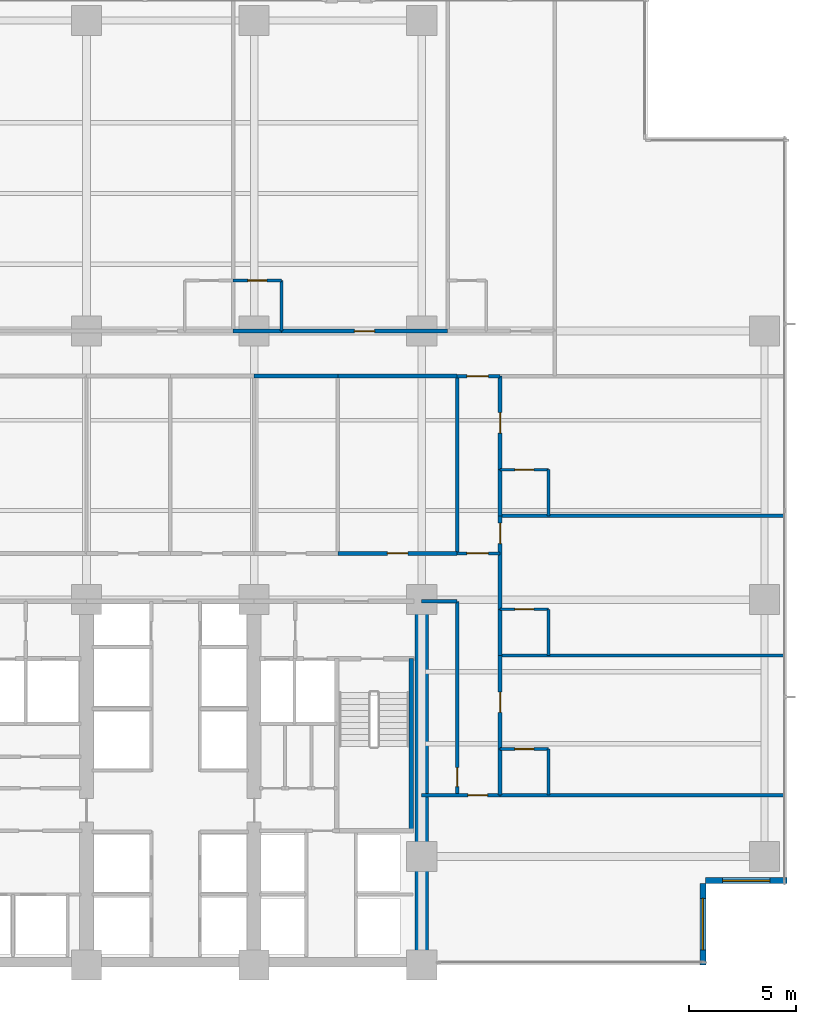
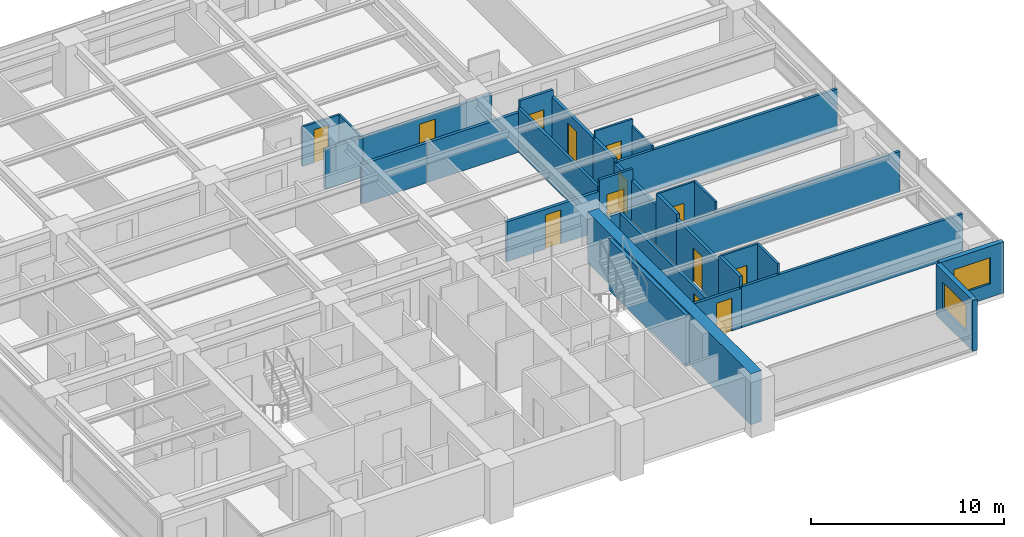
# One storey, part 10 of 16: 32 walls, 13 doors, 2 windows, 15 openings.
"""IFC4 building model written with IfcOpenShell, lengths in metres."""

from ifc_helpers import new_model, si_unit, direction, frame, frame_2d, origin, place, context, subcontext, project, spatial, rectangle, extrude, material, layer, layer_set, type_object, element, fill, save


model = new_model("IFC4")

# Units and contexts
model_context = context("Model", 3, precision=1e-05, world=origin(), true_north=direction((0.0, 1.0)))
body_context = subcontext(model_context, "Body", "Model", "MODEL_VIEW")
ifc_project = project(units=[si_unit("LENGTHUNIT", "METRE"), si_unit("AREAUNIT", "SQUARE_METRE"), si_unit("VOLUMEUNIT", "CUBIC_METRE"), si_unit("PLANEANGLEUNIT", "RADIAN"), si_unit("MASSUNIT", "GRAM", prefix="KILO")], contexts=[model_context])

# Site, building, storey
site_placement = place(None, origin())
site = spatial("IfcSite", under=ifc_project, at=site_placement, CompositionType="ELEMENT")
building_placement = place(site_placement, origin())
building = spatial("IfcBuilding", under=site, at=building_placement, Name="Qalmaran Belvedere Hotel", CompositionType="ELEMENT")
storey_placement = place(building_placement, frame((0.0, 0.0, 50.89990234375)))
storey = spatial("IfcBuildingStorey", under=building, at=storey_placement, Name="L12", CompositionType="ELEMENT", Elevation=50.89990234375)

# Wall
ifc_material_1 = material(Name="Concrete C60/75", Category="concrete")
ifc_layer_1 = layer(ifc_material_1, 0.64990234375, Name="Concrete C60/75")
ifc_layer_set_1 = layer_set([ifc_layer_1], Name="Concrete C60/75")
wall_type_1 = type_object("IfcWallType", Name="WL-CORE-650-C60", PredefinedType="SHEAR", material=ifc_layer_set_1)
wall_1_placement = place(storey_placement, frame((44.800048828125, 3.5, 0.0), z_axis=(0.0, 0.0, 1.0), x_axis=(0.0, 1.0, 0.0)))
element("IfcWall", 1, at=wall_1_placement, inside=storey, type_object=wall_type_1, Name="L12 East Core Shear Wall", PredefinedType="SHEAR", context=body_context, shape_type="SweptSolid", body=[
    extrude(rectangle(XDim=16.89990234375, YDim=0.64990234375, at=frame_2d((8.449951171875, 0.0))), origin(), (0.0, 0.0, 1.0), 3.22021484375),
])

# Wall, opening, window
ifc_material_2 = material(Name="Anodised Bronze Cladding")
ifc_layer_2 = layer(ifc_material_2, 0.280029296875, Name="Anodised Bronze Cladding")
ifc_layer_set_2 = layer_set([ifc_layer_2], Name="Anodised Bronze Cladding")
wall_type_2 = type_object("IfcWallType", Name="WL-EXT-BRNZ-280", PredefinedType="SOLIDWALL", material=ifc_layer_set_2)
wall_2_placement = place(storey_placement, frame((57.8798828125, 3.5, 0.0), z_axis=(0.0, 0.0, 1.0), x_axis=(0.0, 1.0, 0.0)))
wall_2 = element("IfcWall", 2, at=wall_2_placement, inside=storey, type_object=wall_type_2, Name="L12 Corner Notch Wall 1", PredefinedType="SOLIDWALL", context=body_context, shape_type="SweptSolid", body=[
    extrude(rectangle(XDim=3.800048828125, YDim=0.280029296875, at=frame_2d((1.89990234375, 0.0))), origin(), (0.0, 0.0, 1.0), 3.22021484375),
])
opening_1_placement = place(wall_2_placement, frame((0.699951171875, 0.0, 0.85009765625)))
opening_1 = element("IfcOpeningElement", 3, at=opening_1_placement, cuts=wall_2, Name="Opening W-N24", PredefinedType="OPENING", context=body_context, shape_type="SweptSolid", body=[
    extrude(rectangle(XDim=2.39990234375, YDim=1.64990234375, at=frame_2d((1.199951171875, 0.824951171875))), frame((0.0, 0.14990234375, 0.0), z_axis=(0.0, -1.0, 0.0), x_axis=(1.0, 0.0, 0.0)), (0.0, 0.0, 1.0), 0.300048828125),
])
ifc_material_3 = material(Name="Solar-Control Double Glazing", Category="glass")
window_type_1 = type_object("IfcWindowType", Name="WN-NTC-2400X1650", PartitioningType="SINGLE_PANEL", PredefinedType="WINDOW", material=ifc_material_3)
window_1_placement = place(opening_1_placement, origin())
window_1 = element("IfcWindow", 4, at=window_1_placement, inside=storey, type_object=window_type_1, Name="L12 Corner Notch Window 1", OverallHeight=1.64990234375, OverallWidth=2.39990234375, PartitioningType="SINGLE_PANEL", PredefinedType="WINDOW", context=body_context, shape_type="SweptSolid", body=[
    extrude(rectangle(XDim=2.39990234375, YDim=1.64990234375, at=frame_2d((1.199951171875, 0.824951171875))), frame((0.0, 0.030029296875, 0.0), z_axis=(0.0, -1.0, 0.0), x_axis=(1.0, 0.0, 0.0)), (0.0, 0.0, 1.0), 0.06005859375),
])
fill(opening_1, window_1)

wall_3_placement = place(storey_placement, frame((58.0, 7.419921875, 0.0), z_axis=(0.0, 0.0, 1.0), x_axis=(1.0, 0.0, 0.0)))
wall_3 = element("IfcWall", 5, at=wall_3_placement, inside=storey, type_object=wall_type_2, Name="L12 Corner Notch Wall 2", PredefinedType="SOLIDWALL", context=body_context, shape_type="SweptSolid", body=[
    extrude(rectangle(XDim=3.800048828125, YDim=0.280029296875, at=frame_2d((1.89990234375, 0.0))), origin(), (0.0, 0.0, 1.0), 3.22021484375),
])
opening_2_placement = place(wall_3_placement, frame((0.800048828125, 0.0, 0.85009765625)))
opening_2 = element("IfcOpeningElement", 6, at=opening_2_placement, cuts=wall_3, Name="Opening W-N22", PredefinedType="OPENING", context=body_context, shape_type="SweptSolid", body=[
    extrude(rectangle(XDim=2.199951171875, YDim=1.64990234375, at=frame_2d((1.10009765625, 0.824951171875))), frame((0.0, 0.14990234375, 0.0), z_axis=(0.0, -1.0, 0.0), x_axis=(1.0, 0.0, 0.0)), (0.0, 0.0, 1.0), 0.300048828125),
])
window_type_2 = type_object("IfcWindowType", Name="WN-NTC-2200X1650", PartitioningType="SINGLE_PANEL", PredefinedType="WINDOW", material=ifc_material_3)
window_2_placement = place(opening_2_placement, origin())
window_2 = element("IfcWindow", 7, at=window_2_placement, inside=storey, type_object=window_type_2, Name="L12 Corner Notch Window 2", OverallHeight=1.64990234375, OverallWidth=2.199951171875, PartitioningType="SINGLE_PANEL", PredefinedType="WINDOW", context=body_context, shape_type="SweptSolid", body=[
    extrude(rectangle(XDim=2.199951171875, YDim=1.64990234375, at=frame_2d((1.10009765625, 0.824951171875))), frame((0.0, 0.030029296875, 0.0), z_axis=(0.0, -1.0, 0.0), x_axis=(1.0, 0.0, 0.0)), (0.0, 0.0, 1.0), 0.06005859375),
])
fill(opening_2, window_2)

# Wall, opening, door
ifc_material_4 = material(Name="Moisture-Resistant Gypsum")
ifc_layer_3 = layer(ifc_material_4, 0.1201171875, Name="Moisture-Resistant Gypsum")
ifc_layer_set_3 = layer_set([ifc_layer_3], Name="Moisture-Resistant Gypsum")
wall_type_3 = type_object("IfcWallType", Name="WL-INT-120-BATH", PredefinedType="PARTITIONING", material=ifc_layer_set_3)
wall_4_placement = place(storey_placement, frame((36.023193359375, 35.35009765625, 0.0), z_axis=(0.0, 0.0, 1.0), x_axis=(1.0, 0.0, 0.0)))
wall_4 = element("IfcWall", 8, at=wall_4_placement, inside=storey, type_object=wall_type_3, Name="L12 Partition WL-L12-NBN02", PredefinedType="PARTITIONING", context=body_context, shape_type="SweptSolid", body=[
    extrude(rectangle(XDim=2.25, YDim=0.1201171875, at=frame_2d((1.125, 0.0))), origin(), (0.0, 0.0, 1.0), 2.510009765625),
])
opening_3_placement = place(wall_4_placement, frame((1.56494140625, 0.0, 0.0), z_axis=(0.0, 0.0, 1.0), x_axis=(-1.0, 0.0, 0.0)))
opening_3 = element("IfcOpeningElement", 9, at=opening_3_placement, cuts=wall_4, Name="Opening D-BATH", PredefinedType="OPENING", context=body_context, shape_type="SweptSolid", body=[
    extrude(rectangle(XDim=0.8798828125, YDim=2.080078125, at=frame_2d((0.43994140625, 1.0400390625))), frame((0.0, 0.070068359375, 0.0), z_axis=(0.0, -1.0, 0.0), x_axis=(1.0, 0.0, 0.0)), (0.0, 0.0, 1.0), 0.14013671875),
])
ifc_material_5 = material(Name="Engineered Oak Veneer")
door_type_1 = type_object("IfcDoorType", Name="DR-INT-BATH-880X2080", OperationType="NOTDEFINED", PredefinedType="DOOR", material=ifc_material_5)
door_1_placement = place(opening_3_placement, origin())
door_1 = element("IfcDoor", 10, at=door_1_placement, inside=storey, type_object=door_type_1, Name="L12 Ensuite Bathroom Door N03", OperationType="SINGLE_SWING_LEFT", OverallHeight=2.080078125, OverallWidth=0.8798828125, PredefinedType="DOOR", context=body_context, shape_type="SweptSolid", body=[
    extrude(rectangle(XDim=0.8798828125, YDim=2.080078125, at=frame_2d((0.43994140625, 1.0400390625))), frame((0.0, 0.02490234375, 0.0), z_axis=(0.0, -1.0, 0.0), x_axis=(1.0, 0.0, 0.0)), (0.0, 0.0, 1.0), 0.050048828125),
])
fill(opening_3, door_1)

# Wall
wall_5_placement = place(storey_placement, frame((38.273193359375, 33.0, 0.0), z_axis=(0.0, 0.0, 1.0), x_axis=(0.0, 1.0, 0.0)))
element("IfcWall", 11, at=wall_5_placement, inside=storey, type_object=wall_type_3, Name="L12 Partition WL-L12-NBS02", PredefinedType="PARTITIONING", context=body_context, shape_type="SweptSolid", body=[
    extrude(rectangle(XDim=2.35009765625, YDim=0.1201171875, at=frame_2d((1.175048828125, 0.0))), origin(), (0.0, 0.0, 1.0), 2.510009765625),
])

# Wall, opening, door
wall_6_placement = place(storey_placement, frame((48.449951171875, 13.550048828125, 0.0), z_axis=(0.0, 0.0, 1.0), x_axis=(1.0, 0.0, 0.0)))
wall_6 = element("IfcWall", 12, at=wall_6_placement, inside=storey, type_object=wall_type_3, Name="L12 Partition WL-L12-EBN00", PredefinedType="PARTITIONING", context=body_context, shape_type="SweptSolid", body=[
    extrude(rectangle(XDim=2.25, YDim=0.1201171875, at=frame_2d((1.125, 0.0))), origin(), (0.0, 0.0, 1.0), 3.22021484375),
])
opening_4_placement = place(wall_6_placement, frame((1.56494140625, 0.0, 0.0), z_axis=(0.0, 0.0, 1.0), x_axis=(-1.0, 0.0, 0.0)))
opening_4 = element("IfcOpeningElement", 13, at=opening_4_placement, cuts=wall_6, Name="Opening D-BATH", PredefinedType="OPENING", context=body_context, shape_type="SweptSolid", body=[
    extrude(rectangle(XDim=0.8798828125, YDim=2.080078125, at=frame_2d((0.43994140625, 1.0400390625))), frame((0.0, 0.070068359375, 0.0), z_axis=(0.0, -1.0, 0.0), x_axis=(1.0, 0.0, 0.0)), (0.0, 0.0, 1.0), 0.14013671875),
])
door_2_placement = place(opening_4_placement, origin())
door_2 = element("IfcDoor", 14, at=door_2_placement, inside=storey, type_object=door_type_1, Name="L12 E Ensuite Door 01", OperationType="SINGLE_SWING_LEFT", OverallHeight=2.080078125, OverallWidth=0.8798828125, PredefinedType="DOOR", context=body_context, shape_type="SweptSolid", body=[
    extrude(rectangle(XDim=0.8798828125, YDim=2.080078125, at=frame_2d((0.43994140625, 1.0400390625))), frame((0.0, 0.02490234375, 0.0), z_axis=(0.0, -1.0, 0.0), x_axis=(1.0, 0.0, 0.0)), (0.0, 0.0, 1.0), 0.050048828125),
])
fill(opening_4, door_2)

# Wall
wall_7_placement = place(storey_placement, frame((50.699951171875, 11.39990234375, 0.0), z_axis=(0.0, 0.0, 1.0), x_axis=(0.0, 1.0, 0.0)))
element("IfcWall", 15, at=wall_7_placement, inside=storey, type_object=wall_type_3, Name="L12 Partition WL-L12-EBS00", PredefinedType="PARTITIONING", context=body_context, shape_type="SweptSolid", body=[
    extrude(rectangle(XDim=2.150146484375, YDim=0.1201171875, at=frame_2d((1.0751953125, 0.0))), origin(), (0.0, 0.0, 1.0), 3.22021484375),
])

# Wall, opening, door
wall_8_placement = place(storey_placement, frame((48.449951171875, 20.050048828125, 0.0), z_axis=(0.0, 0.0, 1.0), x_axis=(1.0, 0.0, 0.0)))
wall_8 = element("IfcWall", 16, at=wall_8_placement, inside=storey, type_object=wall_type_3, Name="L12 Partition WL-L12-EBN01", PredefinedType="PARTITIONING", context=body_context, shape_type="SweptSolid", body=[
    extrude(rectangle(XDim=2.25, YDim=0.1201171875, at=frame_2d((1.125, 0.0))), origin(), (0.0, 0.0, 1.0), 3.22021484375),
])
opening_5_placement = place(wall_8_placement, frame((1.56494140625, 0.0, 0.0), z_axis=(0.0, 0.0, 1.0), x_axis=(-1.0, 0.0, 0.0)))
opening_5 = element("IfcOpeningElement", 17, at=opening_5_placement, cuts=wall_8, Name="Opening D-BATH", PredefinedType="OPENING", context=body_context, shape_type="SweptSolid", body=[
    extrude(rectangle(XDim=0.8798828125, YDim=2.080078125, at=frame_2d((0.43994140625, 1.0400390625))), frame((0.0, 0.070068359375, 0.0), z_axis=(0.0, -1.0, 0.0), x_axis=(1.0, 0.0, 0.0)), (0.0, 0.0, 1.0), 0.14013671875),
])
door_3_placement = place(opening_5_placement, origin())
door_3 = element("IfcDoor", 18, at=door_3_placement, inside=storey, type_object=door_type_1, Name="L12 E Ensuite Door 02", OperationType="SINGLE_SWING_LEFT", OverallHeight=2.080078125, OverallWidth=0.8798828125, PredefinedType="DOOR", context=body_context, shape_type="SweptSolid", body=[
    extrude(rectangle(XDim=0.8798828125, YDim=2.080078125, at=frame_2d((0.43994140625, 1.0400390625))), frame((0.0, 0.02490234375, 0.0), z_axis=(0.0, -1.0, 0.0), x_axis=(1.0, 0.0, 0.0)), (0.0, 0.0, 1.0), 0.050048828125),
])
fill(opening_5, door_3)

# Wall
wall_9_placement = place(storey_placement, frame((50.699951171875, 17.89990234375, 0.0), z_axis=(0.0, 0.0, 1.0), x_axis=(0.0, 1.0, 0.0)))
element("IfcWall", 19, at=wall_9_placement, inside=storey, type_object=wall_type_3, Name="L12 Partition WL-L12-EBS01", PredefinedType="PARTITIONING", context=body_context, shape_type="SweptSolid", body=[
    extrude(rectangle(XDim=2.150146484375, YDim=0.1201171875, at=frame_2d((1.0751953125, 0.0))), origin(), (0.0, 0.0, 1.0), 3.22021484375),
])

# Wall, opening, door
wall_10_placement = place(storey_placement, frame((48.449951171875, 26.550048828125, 0.0), z_axis=(0.0, 0.0, 1.0), x_axis=(1.0, 0.0, 0.0)))
wall_10 = element("IfcWall", 20, at=wall_10_placement, inside=storey, type_object=wall_type_3, Name="L12 Partition WL-L12-EBN02", PredefinedType="PARTITIONING", context=body_context, shape_type="SweptSolid", body=[
    extrude(rectangle(XDim=2.25, YDim=0.1201171875, at=frame_2d((1.125, 0.0))), origin(), (0.0, 0.0, 1.0), 3.22021484375),
])
opening_6_placement = place(wall_10_placement, frame((1.56494140625, 0.0, 0.0), z_axis=(0.0, 0.0, 1.0), x_axis=(-1.0, 0.0, 0.0)))
opening_6 = element("IfcOpeningElement", 21, at=opening_6_placement, cuts=wall_10, Name="Opening D-BATH", PredefinedType="OPENING", context=body_context, shape_type="SweptSolid", body=[
    extrude(rectangle(XDim=0.8798828125, YDim=2.080078125, at=frame_2d((0.43994140625, 1.0400390625))), frame((0.0, 0.070068359375, 0.0), z_axis=(0.0, -1.0, 0.0), x_axis=(1.0, 0.0, 0.0)), (0.0, 0.0, 1.0), 0.14013671875),
])
door_4_placement = place(opening_6_placement, origin())
door_4 = element("IfcDoor", 22, at=door_4_placement, inside=storey, type_object=door_type_1, Name="L12 E Ensuite Door 03", OperationType="SINGLE_SWING_LEFT", OverallHeight=2.080078125, OverallWidth=0.8798828125, PredefinedType="DOOR", context=body_context, shape_type="SweptSolid", body=[
    extrude(rectangle(XDim=0.8798828125, YDim=2.080078125, at=frame_2d((0.43994140625, 1.0400390625))), frame((0.0, 0.02490234375, 0.0), z_axis=(0.0, -1.0, 0.0), x_axis=(1.0, 0.0, 0.0)), (0.0, 0.0, 1.0), 0.050048828125),
])
fill(opening_6, door_4)

# Wall
wall_11_placement = place(storey_placement, frame((50.699951171875, 24.39990234375, 0.0), z_axis=(0.0, 0.0, 1.0), x_axis=(0.0, 1.0, 0.0)))
element("IfcWall", 23, at=wall_11_placement, inside=storey, type_object=wall_type_3, Name="L12 Partition WL-L12-EBS02", PredefinedType="PARTITIONING", context=body_context, shape_type="SweptSolid", body=[
    extrude(rectangle(XDim=2.150146484375, YDim=0.1201171875, at=frame_2d((1.0751953125, 0.0))), origin(), (0.0, 0.0, 1.0), 2.7880859375),
])

# Wall, opening, door
ifc_material_6 = material(Name="Gypsum Stud Partition")
ifc_layer_4 = layer(ifc_material_6, 0.14990234375, Name="Gypsum Stud Partition")
ifc_layer_set_4 = layer_set([ifc_layer_4], Name="Gypsum Stud Partition")
wall_type_4 = type_object("IfcWallType", Name="WL-INT-150-EI60", PredefinedType="PARTITIONING", material=ifc_layer_set_4)
wall_12_placement = place(storey_placement, frame((46.449951171875, 22.64990234375, 0.0), z_axis=(0.0, 0.0, 1.0), x_axis=(1.0, 0.0, 0.0)))
wall_12 = element("IfcWall", 24, at=wall_12_placement, inside=storey, type_object=wall_type_4, Name="L12 Partition WL-L12-XCE1", PredefinedType="PARTITIONING", context=body_context, shape_type="SweptSolid", body=[
    extrude(rectangle(XDim=2.0, YDim=0.14990234375, at=frame_2d((1.0, 0.0))), origin(), (0.0, 0.0, 1.0), 3.22021484375),
])
opening_7_placement = place(wall_12_placement, frame((0.449951171875, 0.0, 0.0)))
opening_7 = element("IfcOpeningElement", 25, at=opening_7_placement, cuts=wall_12, Name="Opening FD90B", PredefinedType="OPENING", context=body_context, shape_type="SweptSolid", body=[
    extrude(rectangle(XDim=1.0, YDim=2.14990234375, at=frame_2d((0.5, 1.074951171875))), frame((0.0, 0.0849609375, 0.0), z_axis=(0.0, -1.0, 0.0), x_axis=(1.0, 0.0, 0.0)), (0.0, 0.0, 1.0), 0.169921875),
])
ifc_material_7 = material(Name="Steel S355JR", Category="steel")
door_type_2 = type_object("IfcDoorType", Name="DR-FD90B-1000X2150", OperationType="NOTDEFINED", PredefinedType="DOOR", material=ifc_material_7)
door_5_placement = place(opening_7_placement, origin())
door_5 = element("IfcDoor", 26, at=door_5_placement, inside=storey, type_object=door_type_2, Name="L12 East Corridor Smoke Door S", OperationType="SINGLE_SWING_RIGHT", OverallHeight=2.14990234375, OverallWidth=1.0, PredefinedType="DOOR", context=body_context, shape_type="SweptSolid", body=[
    extrude(rectangle(XDim=1.0, YDim=2.14990234375, at=frame_2d((0.5, 1.074951171875))), frame((0.0, 0.02490234375, 0.0), z_axis=(0.0, -1.0, 0.0), x_axis=(1.0, 0.0, 0.0)), (0.0, 0.0, 1.0), 0.050048828125),
])
fill(opening_7, door_5)

wall_13_placement = place(storey_placement, frame((46.449951171875, 30.89990234375, 0.0), z_axis=(0.0, 0.0, 1.0), x_axis=(1.0, 0.0, 0.0)))
wall_13 = element("IfcWall", 27, at=wall_13_placement, inside=storey, type_object=wall_type_4, Name="L12 Partition WL-L12-XCE2", PredefinedType="PARTITIONING", context=body_context, shape_type="SweptSolid", body=[
    extrude(rectangle(XDim=2.0, YDim=0.14990234375, at=frame_2d((1.0, 0.0))), origin(), (0.0, 0.0, 1.0), 3.22021484375),
])
opening_8_placement = place(wall_13_placement, frame((0.449951171875, 0.0, 0.0)))
opening_8 = element("IfcOpeningElement", 28, at=opening_8_placement, cuts=wall_13, Name="Opening FD90B", PredefinedType="OPENING", context=body_context, shape_type="SweptSolid", body=[
    extrude(rectangle(XDim=1.0, YDim=2.14990234375, at=frame_2d((0.5, 1.074951171875))), frame((0.0, 0.0849609375, 0.0), z_axis=(0.0, -1.0, 0.0), x_axis=(1.0, 0.0, 0.0)), (0.0, 0.0, 1.0), 0.169921875),
])
door_6_placement = place(opening_8_placement, origin())
door_6 = element("IfcDoor", 29, at=door_6_placement, inside=storey, type_object=door_type_2, Name="L12 East Corridor Smoke Door N", OperationType="SINGLE_SWING_LEFT", OverallHeight=2.14990234375, OverallWidth=1.0, PredefinedType="DOOR", context=body_context, shape_type="SweptSolid", body=[
    extrude(rectangle(XDim=1.0, YDim=2.14990234375, at=frame_2d((0.5, 1.074951171875))), frame((0.0, 0.02490234375, 0.0), z_axis=(0.0, -1.0, 0.0), x_axis=(1.0, 0.0, 0.0)), (0.0, 0.0, 1.0), 0.050048828125),
])
fill(opening_8, door_6)

ifc_layer_5 = layer(ifc_material_6, 0.159912109375, Name="Gypsum Stud Partition")
ifc_layer_set_5 = layer_set([ifc_layer_5], Name="Gypsum Stud Partition")
wall_type_5 = type_object("IfcWallType", Name="WL-INT-160-EI60", PredefinedType="PARTITIONING", material=ifc_layer_set_5)
wall_14_placement = place(storey_placement, frame((44.800048828125, 11.39990234375, 0.0), z_axis=(0.0, 0.0, 1.0), x_axis=(1.0, 0.0, 0.0)))
wall_14 = element("IfcWall", 30, at=wall_14_placement, inside=storey, type_object=wall_type_5, Name="L12 Partition WL-L12-SERL", PredefinedType="PARTITIONING", context=body_context, shape_type="SweptSolid", body=[
    extrude(rectangle(XDim=3.64990234375, YDim=0.159912109375, at=frame_2d((1.824951171875, 0.0))), origin(), (0.0, 0.0, 1.0), 2.510009765625),
])
opening_9_placement = place(wall_14_placement, frame((3.06982421875, 0.0, 0.0), z_axis=(0.0, 0.0, 1.0), x_axis=(-1.0, 0.0, 0.0)))
opening_9 = element("IfcOpeningElement", 31, at=opening_9_placement, cuts=wall_14, Name="Opening FD60S1", PredefinedType="OPENING", context=body_context, shape_type="SweptSolid", body=[
    extrude(rectangle(XDim=0.919921875, YDim=2.080078125, at=frame_2d((0.4599609375, 1.0400390625))), frame((0.0, 0.08984375, 0.0), z_axis=(0.0, -1.0, 0.0), x_axis=(1.0, 0.0, 0.0)), (0.0, 0.0, 1.0), 0.179931640625),
])
door_type_3 = type_object("IfcDoorType", Name="DR-FD60S-920X2080", OperationType="NOTDEFINED", PredefinedType="DOOR", material=ifc_material_5)
door_7_placement = place(opening_9_placement, origin())
door_7 = element("IfcDoor", 32, at=door_7_placement, inside=storey, type_object=door_type_3, Name="L12 SE Lounge Door", OperationType="SINGLE_SWING_LEFT", OverallHeight=2.080078125, OverallWidth=0.919921875, PredefinedType="DOOR", context=body_context, shape_type="SweptSolid", body=[
    extrude(rectangle(XDim=0.919921875, YDim=2.080078125, at=frame_2d((0.4599609375, 1.0400390625))), frame((0.0, 0.02490234375, 0.0), z_axis=(0.0, -1.0, 0.0), x_axis=(1.0, 0.0, 0.0)), (0.0, 0.0, 1.0), 0.050048828125),
])
fill(opening_9, door_7)

wall_15_placement = place(storey_placement, frame((46.449951171875, 11.39990234375, 0.0), z_axis=(0.0, 0.0, 1.0), x_axis=(0.0, 1.0, 0.0)))
wall_15 = element("IfcWall", 33, at=wall_15_placement, inside=storey, type_object=wall_type_5, Name="L12 Partition WL-L12-ECL", PredefinedType="PARTITIONING", context=body_context, shape_type="SweptSolid", body=[
    extrude(rectangle(XDim=9.02001953125, YDim=0.159912109375, at=frame_2d((4.510009765625, 0.0))), origin(), (0.0, 0.0, 1.0), 2.510009765625),
])
opening_10_placement = place(wall_15_placement, frame((0.39990234375, 0.0, 0.0)))
opening_10 = element("IfcOpeningElement", 34, at=opening_10_placement, cuts=wall_15, Name="Opening FD60B", PredefinedType="OPENING", context=body_context, shape_type="SweptSolid", body=[
    extrude(rectangle(XDim=0.8798828125, YDim=2.080078125, at=frame_2d((0.43994140625, 1.0400390625))), frame((0.0, 0.08984375, 0.0), z_axis=(0.0, -1.0, 0.0), x_axis=(1.0, 0.0, 0.0)), (0.0, 0.0, 1.0), 0.179931640625),
])
door_type_4 = type_object("IfcDoorType", Name="DR-FD60B-880X2080", OperationType="NOTDEFINED", PredefinedType="DOOR", material=ifc_material_7)
door_8_placement = place(opening_10_placement, origin())
door_8 = element("IfcDoor", 35, at=door_8_placement, inside=storey, type_object=door_type_4, Name="L12 East Closet Door", OperationType="SINGLE_SWING_LEFT", OverallHeight=2.080078125, OverallWidth=0.8798828125, PredefinedType="DOOR", context=body_context, shape_type="SweptSolid", body=[
    extrude(rectangle(XDim=0.8798828125, YDim=2.080078125, at=frame_2d((0.43994140625, 1.0400390625))), frame((0.0, 0.02490234375, 0.0), z_axis=(0.0, -1.0, 0.0), x_axis=(1.0, 0.0, 0.0)), (0.0, 0.0, 1.0), 0.050048828125),
])
fill(opening_10, door_8)

# Walls
wall_16_placement = place(storey_placement, frame((44.800048828125, 20.419921875, 0.0), z_axis=(0.0, 0.0, 1.0), x_axis=(1.0, 0.0, 0.0)))
element("IfcWall", 36, at=wall_16_placement, inside=storey, type_object=wall_type_5, Name="L12 Partition WL-L12-ECLN", PredefinedType="PARTITIONING", context=body_context, shape_type="SweptSolid", body=[
    extrude(rectangle(XDim=1.64990234375, YDim=0.159912109375, at=frame_2d((0.824951171875, 0.0))), origin(), (0.0, 0.0, 1.0), 2.510009765625),
])
wall_17_placement = place(storey_placement, frame((46.449951171875, 22.64990234375, 0.0), z_axis=(0.0, 0.0, 1.0), x_axis=(0.0, 1.0, 0.0)))
element("IfcWall", 37, at=wall_17_placement, inside=storey, type_object=wall_type_5, Name="L12 Partition WL-L12-MIDVR5", PredefinedType="PARTITIONING", context=body_context, shape_type="SweptSolid", body=[
    extrude(rectangle(XDim=8.25, YDim=0.159912109375, at=frame_2d((4.125, 0.0))), origin(), (0.0, 0.0, 1.0), 2.7880859375),
])
for number, where, z_axis, x_axis, name in (
    (38, (48.449951171875, 11.39990234375, 0.0), (0.0, 0.0, 1.0), (1.0, 0.0, 0.0), "L12 Partition WL-L12-EBOT"),
    (39, (48.449951171875, 17.89990234375, 0.0), (0.0, 0.0, 1.0), (1.0, 0.0, 0.0), "L12 Partition WL-L12-EU00"),
    (40, (48.449951171875, 24.39990234375, 0.0), (0.0, 0.0, 1.0), (1.0, 0.0, 0.0), "L12 Partition WL-L12-EU01"),
):
    element("IfcWall", number, at=place(storey_placement, frame(where, z_axis=z_axis, x_axis=x_axis)), inside=storey, type_object=wall_type_5, Name=name, PredefinedType="PARTITIONING", context=body_context, shape_type="SweptSolid", body=[
        extrude(rectangle(XDim=13.22998046875, YDim=0.159912109375, at=frame_2d((6.614990234375, 0.0))), origin(), (0.0, 0.0, 1.0), 2.5830078125),
    ])
ifc_layer_6 = layer(ifc_material_6, 0.179931640625, Name="Gypsum Stud Partition")
ifc_layer_set_6 = layer_set([ifc_layer_6], Name="Gypsum Stud Partition")
wall_type_6 = type_object("IfcWallType", Name="WL-INT-180-EI60", PredefinedType="PARTITIONING", material=ifc_layer_set_6)
wall_18_placement = place(storey_placement, frame((37.0, 30.89990234375, 0.0), z_axis=(0.0, 0.0, 1.0), x_axis=(1.0, 0.0, 0.0)))
element("IfcWall", 41, at=wall_18_placement, inside=storey, type_object=wall_type_6, Name="L12 Partition WL-L12-MIDO4", PredefinedType="PARTITIONING", context=body_context, shape_type="SweptSolid", body=[
    extrude(rectangle(XDim=3.89990234375, YDim=0.179931640625, at=frame_2d((1.949951171875, 0.0))), origin(), (0.0, 0.0, 1.0), 2.510009765625),
])

# Wall, opening, door
wall_19_placement = place(storey_placement, frame((40.89990234375, 22.64990234375, 0.0), z_axis=(0.0, 0.0, 1.0), x_axis=(1.0, 0.0, 0.0)))
wall_19 = element("IfcWall", 42, at=wall_19_placement, inside=storey, type_object=wall_type_6, Name="L12 Partition WL-L12-MIDD5", PredefinedType="PARTITIONING", context=body_context, shape_type="SweptSolid", body=[
    extrude(rectangle(XDim=5.550048828125, YDim=0.179931640625, at=frame_2d((2.77490234375, 0.0))), origin(), (0.0, 0.0, 1.0), 2.510009765625),
])
opening_11_placement = place(wall_19_placement, frame((2.300048828125, 0.0, 0.0)))
opening_11 = element("IfcOpeningElement", 43, at=opening_11_placement, cuts=wall_19, Name="Opening FD60", PredefinedType="OPENING", context=body_context, shape_type="SweptSolid", body=[
    extrude(rectangle(XDim=0.949951171875, YDim=2.14990234375, at=frame_2d((0.47509765625, 1.074951171875))), frame((0.0, 0.10009765625, 0.0), z_axis=(0.0, -1.0, 0.0), x_axis=(1.0, 0.0, 0.0)), (0.0, 0.0, 1.0), 0.199951171875),
])
door_type_5 = type_object("IfcDoorType", Name="DR-FD60-950X2150", OperationType="NOTDEFINED", PredefinedType="DOOR", material=ifc_material_5)
door_9_placement = place(opening_11_placement, origin())
door_9 = element("IfcDoor", 44, at=door_9_placement, inside=storey, type_object=door_type_5, Name="L12 Tableware Store Door", OperationType="SINGLE_SWING_RIGHT", OverallHeight=2.14990234375, OverallWidth=0.949951171875, PredefinedType="DOOR", context=body_context, shape_type="SweptSolid", body=[
    extrude(rectangle(XDim=0.949951171875, YDim=2.14990234375, at=frame_2d((0.47509765625, 1.074951171875))), frame((0.0, 0.02490234375, 0.0), z_axis=(0.0, -1.0, 0.0), x_axis=(1.0, 0.0, 0.0)), (0.0, 0.0, 1.0), 0.050048828125),
])
fill(opening_11, door_9)

# Walls
wall_20_placement = place(storey_placement, frame((40.89990234375, 30.89990234375, 0.0), z_axis=(0.0, 0.0, 1.0), x_axis=(1.0, 0.0, 0.0)))
element("IfcWall", 45, at=wall_20_placement, inside=storey, type_object=wall_type_6, Name="L12 Partition WL-L12-MIDO5", PredefinedType="PARTITIONING", context=body_context, shape_type="SweptSolid", body=[
    extrude(rectangle(XDim=5.550048828125, YDim=0.179931640625, at=frame_2d((2.77490234375, 0.0))), origin(), (0.0, 0.0, 1.0), 2.510009765625),
])
wall_21_placement = place(storey_placement, frame((36.023193359375, 33.0, 0.0), z_axis=(0.0, 0.0, 1.0), x_axis=(1.0, 0.0, 0.0)))
element("IfcWall", 46, at=wall_21_placement, inside=storey, type_object=wall_type_6, Name="L12 Partition WL-L12-NBC02", PredefinedType="PARTITIONING", context=body_context, shape_type="SweptSolid", body=[
    extrude(rectangle(XDim=2.25, YDim=0.179931640625, at=frame_2d((1.125, 0.0))), origin(), (0.0, 0.0, 1.0), 2.510009765625),
])

# Wall, opening, door
wall_22_placement = place(storey_placement, frame((38.273193359375, 33.0, 0.0), z_axis=(0.0, 0.0, 1.0), x_axis=(1.0, 0.0, 0.0)))
wall_22 = element("IfcWall", 47, at=wall_22_placement, inside=storey, type_object=wall_type_6, Name="L12 Partition WL-L12-NEC02", PredefinedType="PARTITIONING", context=body_context, shape_type="SweptSolid", body=[
    extrude(rectangle(XDim=7.7275390625, YDim=0.179931640625, at=frame_2d((3.86376953125, 0.0))), origin(), (0.0, 0.0, 1.0), 2.510009765625),
])
opening_12_placement = place(wall_22_placement, frame((3.388671875, 0.0, 0.0)))
opening_12 = element("IfcOpeningElement", 48, at=opening_12_placement, cuts=wall_22, Name="Opening FD60", PredefinedType="OPENING", context=body_context, shape_type="SweptSolid", body=[
    extrude(rectangle(XDim=0.949951171875, YDim=2.14990234375, at=frame_2d((0.47509765625, 1.074951171875))), frame((0.0, 0.10009765625, 0.0), z_axis=(0.0, -1.0, 0.0), x_axis=(1.0, 0.0, 0.0)), (0.0, 0.0, 1.0), 0.199951171875),
])
door_10_placement = place(opening_12_placement, origin())
door_10 = element("IfcDoor", 49, at=door_10_placement, inside=storey, type_object=door_type_5, Name="L12 Guest Entrance Door N03", OperationType="SINGLE_SWING_RIGHT", OverallHeight=2.14990234375, OverallWidth=0.949951171875, PredefinedType="DOOR", context=body_context, shape_type="SweptSolid", body=[
    extrude(rectangle(XDim=0.949951171875, YDim=2.14990234375, at=frame_2d((0.47509765625, 1.074951171875))), frame((0.0, 0.02490234375, 0.0), z_axis=(0.0, -1.0, 0.0), x_axis=(1.0, 0.0, 0.0)), (0.0, 0.0, 1.0), 0.050048828125),
])
fill(opening_12, door_10)

# Wall
wall_23_placement = place(storey_placement, frame((48.449951171875, 11.39990234375, 0.0), z_axis=(0.0, 0.0, 1.0), x_axis=(0.0, 1.0, 0.0)))
element("IfcWall", 50, at=wall_23_placement, inside=storey, type_object=wall_type_6, Name="L12 Partition WL-L12-EBC00", PredefinedType="PARTITIONING", context=body_context, shape_type="SweptSolid", body=[
    extrude(rectangle(XDim=2.150146484375, YDim=0.179931640625, at=frame_2d((1.0751953125, 0.0))), origin(), (0.0, 0.0, 1.0), 3.22021484375),
])

# Wall, opening, door
wall_24_placement = place(storey_placement, frame((48.449951171875, 13.550048828125, 0.0), z_axis=(0.0, 0.0, 1.0), x_axis=(0.0, 1.0, 0.0)))
wall_24 = element("IfcWall", 51, at=wall_24_placement, inside=storey, type_object=wall_type_6, Name="L12 Partition WL-L12-EEC00", PredefinedType="PARTITIONING", context=body_context, shape_type="SweptSolid", body=[
    extrude(rectangle(XDim=4.349853515625, YDim=0.179931640625, at=frame_2d((2.1748046875, 0.0))), origin(), (0.0, 0.0, 1.0), 2.902099609375),
])
opening_13_placement = place(wall_24_placement, frame((2.64990234375, 0.0, 0.0), z_axis=(0.0, 0.0, 1.0), x_axis=(-1.0, 0.0, 0.0)))
opening_13 = element("IfcOpeningElement", 52, at=opening_13_placement, cuts=wall_24, Name="Opening FD60", PredefinedType="OPENING", context=body_context, shape_type="SweptSolid", body=[
    extrude(rectangle(XDim=0.949951171875, YDim=2.14990234375, at=frame_2d((0.47509765625, 1.074951171875))), frame((0.0, 0.10009765625, 0.0), z_axis=(0.0, -1.0, 0.0), x_axis=(1.0, 0.0, 0.0)), (0.0, 0.0, 1.0), 0.199951171875),
])
door_11_placement = place(opening_13_placement, origin())
door_11 = element("IfcDoor", 53, at=door_11_placement, inside=storey, type_object=door_type_5, Name="L12 E Wing Door 01", OperationType="SINGLE_SWING_RIGHT", OverallHeight=2.14990234375, OverallWidth=0.949951171875, PredefinedType="DOOR", context=body_context, shape_type="SweptSolid", body=[
    extrude(rectangle(XDim=0.949951171875, YDim=2.14990234375, at=frame_2d((0.47509765625, 1.074951171875))), frame((0.0, 0.02490234375, 0.0), z_axis=(0.0, -1.0, 0.0), x_axis=(1.0, 0.0, 0.0)), (0.0, 0.0, 1.0), 0.050048828125),
])
fill(opening_13, door_11)

# Wall
wall_25_placement = place(storey_placement, frame((48.449951171875, 17.89990234375, 0.0), z_axis=(0.0, 0.0, 1.0), x_axis=(0.0, 1.0, 0.0)))
element("IfcWall", 54, at=wall_25_placement, inside=storey, type_object=wall_type_6, Name="L12 Partition WL-L12-EBC01", PredefinedType="PARTITIONING", context=body_context, shape_type="SweptSolid", body=[
    extrude(rectangle(XDim=2.150146484375, YDim=0.179931640625, at=frame_2d((1.0751953125, 0.0))), origin(), (0.0, 0.0, 1.0), 3.22021484375),
])

# Wall, opening, door
wall_26_placement = place(storey_placement, frame((48.449951171875, 20.050048828125, 0.0), z_axis=(0.0, 0.0, 1.0), x_axis=(0.0, 1.0, 0.0)))
wall_26 = element("IfcWall", 55, at=wall_26_placement, inside=storey, type_object=wall_type_6, Name="L12 Partition WL-L12-EEC01", PredefinedType="PARTITIONING", context=body_context, shape_type="SweptSolid", body=[
    extrude(rectangle(XDim=4.349853515625, YDim=0.179931640625, at=frame_2d((2.1748046875, 0.0))), origin(), (0.0, 0.0, 1.0), 2.510009765625),
])
opening_14_placement = place(wall_26_placement, frame((4.011474609375, 0.0, 0.0), z_axis=(0.0, 0.0, 1.0), x_axis=(-1.0, 0.0, 0.0)))
opening_14 = element("IfcOpeningElement", 56, at=opening_14_placement, cuts=wall_26, Name="Opening FD60", PredefinedType="OPENING", context=body_context, shape_type="SweptSolid", body=[
    extrude(rectangle(XDim=0.949951171875, YDim=2.14990234375, at=frame_2d((0.47509765625, 1.074951171875))), frame((0.0, 0.10009765625, 0.0), z_axis=(0.0, -1.0, 0.0), x_axis=(1.0, 0.0, 0.0)), (0.0, 0.0, 1.0), 0.199951171875),
])
door_12_placement = place(opening_14_placement, origin())
door_12 = element("IfcDoor", 57, at=door_12_placement, inside=storey, type_object=door_type_5, Name="L12 E Wing Door 02", OperationType="SINGLE_SWING_RIGHT", OverallHeight=2.14990234375, OverallWidth=0.949951171875, PredefinedType="DOOR", context=body_context, shape_type="SweptSolid", body=[
    extrude(rectangle(XDim=0.949951171875, YDim=2.14990234375, at=frame_2d((0.47509765625, 1.074951171875))), frame((0.0, 0.02490234375, 0.0), z_axis=(0.0, -1.0, 0.0), x_axis=(1.0, 0.0, 0.0)), (0.0, 0.0, 1.0), 0.050048828125),
])
fill(opening_14, door_12)

# Wall
wall_27_placement = place(storey_placement, frame((48.449951171875, 24.39990234375, 0.0), z_axis=(0.0, 0.0, 1.0), x_axis=(0.0, 1.0, 0.0)))
element("IfcWall", 58, at=wall_27_placement, inside=storey, type_object=wall_type_6, Name="L12 Partition WL-L12-EBC02", PredefinedType="PARTITIONING", context=body_context, shape_type="SweptSolid", body=[
    extrude(rectangle(XDim=2.150146484375, YDim=0.179931640625, at=frame_2d((1.0751953125, 0.0))), origin(), (0.0, 0.0, 1.0), 2.7880859375),
])

# Wall, opening, door
wall_28_placement = place(storey_placement, frame((48.449951171875, 26.550048828125, 0.0), z_axis=(0.0, 0.0, 1.0), x_axis=(0.0, 1.0, 0.0)))
wall_28 = element("IfcWall", 59, at=wall_28_placement, inside=storey, type_object=wall_type_6, Name="L12 Partition WL-L12-EEC02", PredefinedType="PARTITIONING", context=body_context, shape_type="SweptSolid", body=[
    extrude(rectangle(XDim=4.349853515625, YDim=0.179931640625, at=frame_2d((2.1748046875, 0.0))), origin(), (0.0, 0.0, 1.0), 2.7880859375),
])
opening_15_placement = place(wall_28_placement, frame((2.64990234375, 0.0, 0.0), z_axis=(0.0, 0.0, 1.0), x_axis=(-1.0, 0.0, 0.0)))
opening_15 = element("IfcOpeningElement", 60, at=opening_15_placement, cuts=wall_28, Name="Opening FD60", PredefinedType="OPENING", context=body_context, shape_type="SweptSolid", body=[
    extrude(rectangle(XDim=0.949951171875, YDim=2.14990234375, at=frame_2d((0.47509765625, 1.074951171875))), frame((0.0, 0.10009765625, 0.0), z_axis=(0.0, -1.0, 0.0), x_axis=(1.0, 0.0, 0.0)), (0.0, 0.0, 1.0), 0.199951171875),
])
door_13_placement = place(opening_15_placement, origin())
door_13 = element("IfcDoor", 61, at=door_13_placement, inside=storey, type_object=door_type_5, Name="L12 E Wing Door 03", OperationType="SINGLE_SWING_RIGHT", OverallHeight=2.14990234375, OverallWidth=0.949951171875, PredefinedType="DOOR", context=body_context, shape_type="SweptSolid", body=[
    extrude(rectangle(XDim=0.949951171875, YDim=2.14990234375, at=frame_2d((0.47509765625, 1.074951171875))), frame((0.0, 0.02490234375, 0.0), z_axis=(0.0, -1.0, 0.0), x_axis=(1.0, 0.0, 0.0)), (0.0, 0.0, 1.0), 0.050048828125),
])
fill(opening_15, door_13)

# Wall
ifc_material_8 = material(Name="Concrete C50/60", Category="concrete")
ifc_layer_7 = layer(ifc_material_8, 0.2099609375, Name="Concrete C50/60")
ifc_layer_set_7 = layer_set([ifc_layer_7], Name="Concrete C50/60")
wall_type_7 = type_object("IfcWallType", Name="WL-STAIR-210-C50", PredefinedType="SHEAR", material=ifc_layer_set_7)
wall_29_placement = place(storey_placement, frame((44.304931640625, 9.7451171875, 0.0), z_axis=(0.0, 0.0, 1.0), x_axis=(0.0, 1.0, 0.0)))
element("IfcWall", 62, at=wall_29_placement, inside=storey, type_object=wall_type_7, Name="L12 Stair ST-2 East Bearing Wall", PredefinedType="SHEAR", context=body_context, shape_type="SweptSolid", body=[
    extrude(rectangle(XDim=8.009765625, YDim=0.2099609375, at=frame_2d((4.0048828125, 0.0))), origin(), (0.0, 0.0, 1.0), 3.22021484375),
])

save(model, "model.ifc")
